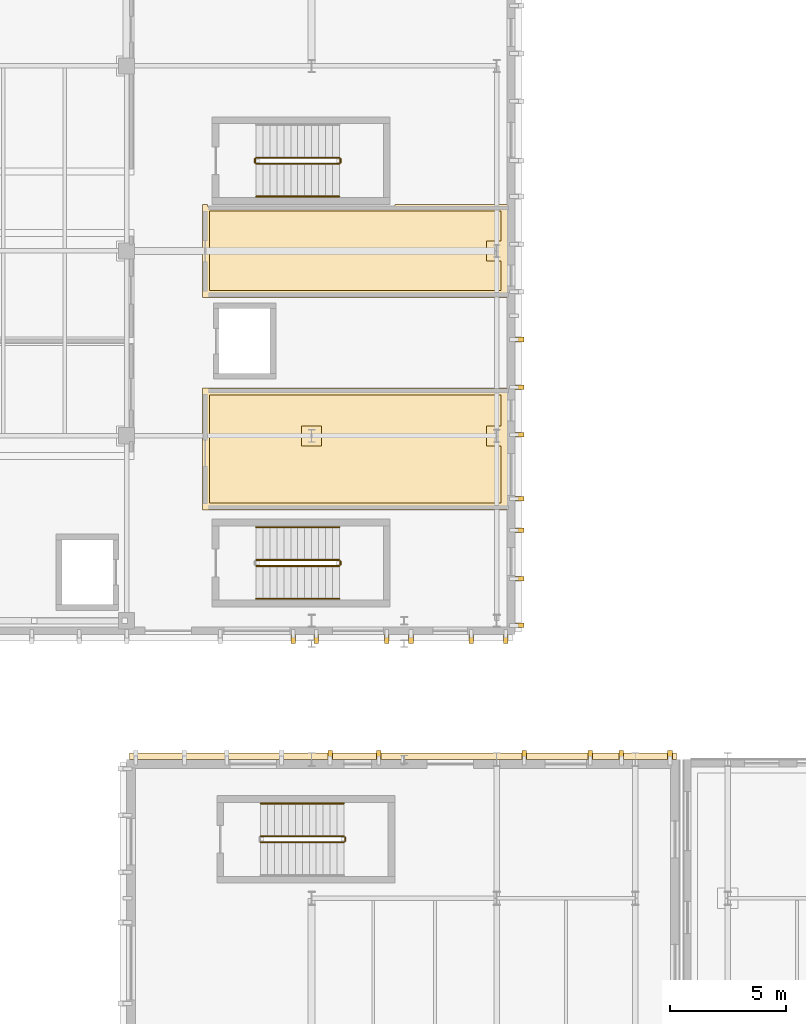
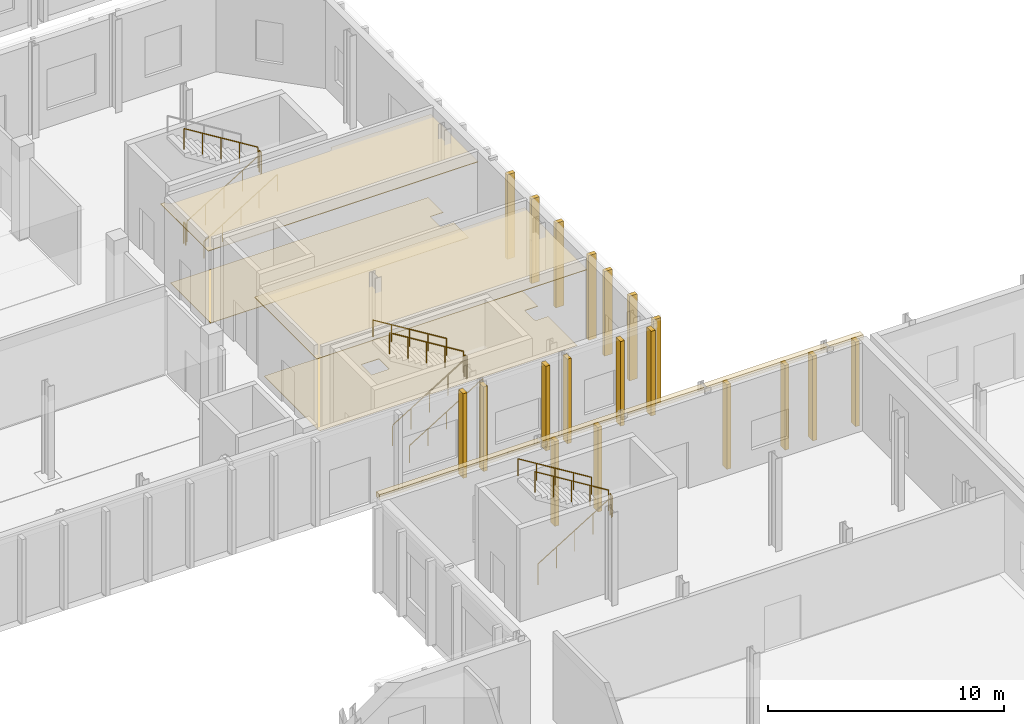
# One storey, part 48 of 60: 24 coverings, 14 railings.
"""IFC4 building model written with IfcOpenShell, lengths in metres."""

from ifc_helpers import new_model, si_unit, direction, frame, origin, origin_2d, place, context, subcontext, project, spatial, polyline, rectangle, circle, outline, extrude, material, layer, layer_set, type_object, element, save


model = new_model("IFC4")

# Units and contexts
model_context = context("Model", 3, precision=1e-05, world=origin(), true_north=direction((0.0, 1.0)))
body_context = subcontext(model_context, "Body", "Model", "MODEL_VIEW")
ifc_project = project(units=[si_unit("LENGTHUNIT", "METRE"), si_unit("AREAUNIT", "SQUARE_METRE"), si_unit("VOLUMEUNIT", "CUBIC_METRE"), si_unit("PLANEANGLEUNIT", "RADIAN"), si_unit("MASSUNIT", "GRAM", prefix="KILO")], contexts=[model_context])

# Site, building, storey
site_placement = place(None, origin())
site = spatial("IfcSite", under=ifc_project, at=site_placement, CompositionType="ELEMENT")
building_placement = place(site_placement, origin())
building = spatial("IfcBuilding", under=site, at=building_placement, Name="Cymarion Research Institute", CompositionType="ELEMENT")
storey_placement = place(building_placement, origin())
storey = spatial("IfcBuildingStorey", under=building, at=storey_placement, Name="L00", CompositionType="ELEMENT", Elevation=0.0)

# Coverings
ifc_material_1 = material(Name="Micro-perforated mineral acoustic ceiling tile", Category="gypsum")
ifc_layer_1 = layer(ifc_material_1, 0.030029296875)
ifc_layer_set_1 = layer_set([ifc_layer_1], Name="Micro-perforated mineral acoustic ceiling tile")
covering_type_1 = type_object("IfcCoveringType", Name="ACOUSTIC MICRO-PERFORATED SUSPENDED CEILING CLG-01", PredefinedType="CEILING", material=ifc_layer_set_1)
covering_1_placement = place(storey_placement, frame((0.0, 0.0, 4.0)))
element("IfcCovering", 1, at=covering_1_placement, inside=storey, type_object=covering_type_1, Name="L00 L00 Gas Cabinet & Thin-Film Deposition Laboratory acoustic ceiling", PredefinedType="CEILING", context=body_context, shape_type="SweptSolid", body=[
    extrude(outline(polyline([(47.094970703125, 57.56494140625), (47.094970703125, 52.284912109375), (33.885009765625, 52.284912109375), (33.885009765625, 57.56494140625), (47.094970703125, 57.56494140625)])), origin(), (0.0, 0.0, 1.0), 0.030029296875),
])
covering_2_placement = place(storey_placement, frame((0.0, 0.0, 4.0)))
element("IfcCovering", 2, at=covering_2_placement, inside=storey, type_object=covering_type_1, Name="L00 L00 Accessible WC and Cleanroom Staff Washrooms acoustic ceiling", PredefinedType="CEILING", context=body_context, shape_type="SweptSolid", body=[
    extrude(outline(polyline([(34.10009765625, 65.514892578125), (34.10009765625, 65.5), (34.10107421875, 65.48046875), (34.103759765625, 65.4609375), (34.108642578125, 65.44189453125), (34.115234375, 65.423583984375), (34.12353515625, 65.40576171875), (34.1337890625, 65.388916015625), (34.1455078125, 65.373046875), (34.15869140625, 65.358642578125), (34.173095703125, 65.345458984375), (34.18896484375, 65.333740234375), (34.205810546875, 65.323486328125), (34.223388671875, 65.315185546875), (34.241943359375, 65.30859375), (34.260986328125, 65.3037109375), (34.280517578125, 65.301025390625), (34.300048828125, 65.300048828125), (42.0, 65.300048828125), (42.01953125, 65.301025390625), (42.0390625, 65.3037109375), (42.05810546875, 65.30859375), (42.076416015625, 65.315185546875), (42.09423828125, 65.323486328125), (42.111083984375, 65.333740234375), (42.126953125, 65.345458984375), (42.141357421875, 65.358642578125), (42.154541015625, 65.373046875), (42.166259765625, 65.388916015625), (42.176513671875, 65.40576171875), (42.184814453125, 65.423583984375), (42.19140625, 65.44189453125), (42.1962890625, 65.4609375), (42.198974609375, 65.48046875), (42.199951171875, 65.5), (42.199951171875, 65.514892578125), (47.094970703125, 65.514892578125), (47.094970703125, 61.485107421875), (33.885009765625, 61.485107421875), (33.885009765625, 65.514892578125), (34.10009765625, 65.514892578125)])), origin(), (0.0, 0.0, 1.0), 0.030029296875),
])

# Railings
ifc_material_2 = material(Name="Steel S355", Category="steel")
railing_type_1 = type_object("IfcRailingType", Name="PAINTED STEEL STAIR GUARDRAIL GR1 1100MM", PredefinedType="GUARDRAIL", material=ifc_material_2)
railing_1_placement = place(storey_placement, frame((36.39990234375, 37.919921875, 0.1845703125)))
element("IfcRailing", 3, at=railing_1_placement, inside=storey, type_object=railing_type_1, Name="L00 ST6 stair guard 1", PredefinedType="GUARDRAIL", context=body_context, shape_type="SweptSolid", body=[
    extrude(circle(Radius=0.02392578125, at=origin_2d()), frame((0.0, 0.0, 1.076171875), z_axis=(0.85167021472, 0.0, 0.524078090897), x_axis=(0.0, 1.0, 0.0)), (0.0, 0.0, 1.0), 4.22705078125),
    extrude(circle(Radius=0.02099609375, at=origin_2d()), origin(), (0.0, 0.0, 1.0), 1.052001953125),
    extrude(circle(Radius=0.02099609375, at=origin_2d()), frame((0.89990234375, 0.0, 0.5537109375)), (0.0, 0.0, 1.0), 1.052001953125),
    extrude(circle(Radius=0.02099609375, at=origin_2d()), frame((1.800048828125, 0.0, 1.107666015625)), (0.0, 0.0, 1.0), 1.052001953125),
    extrude(circle(Radius=0.02099609375, at=origin_2d()), frame((2.7001953125, 0.0, 1.66162109375)), (0.0, 0.0, 1.0), 1.052001953125),
    extrude(circle(Radius=0.02099609375, at=origin_2d()), frame((3.60009765625, 0.0, 2.21533203125)), (0.0, 0.0, 1.0), 1.052001953125),
])
railing_2_placement = place(storey_placement, frame((40.050048828125, 37.969970703125, 2.39990234375)))
element("IfcRailing", 4, at=railing_2_placement, inside=storey, type_object=railing_type_1, Name="L00 ST6 stair guard 2", PredefinedType="GUARDRAIL", context=body_context, shape_type="SweptSolid", body=[
    extrude(circle(Radius=0.02392578125, at=origin_2d()), frame((0.0, 0.0, 1.076171875), z_axis=(0.0, 1.0, 0.0), x_axis=(-1.0, 0.0, 0.0)), (0.0, 0.0, 1.0), 0.159912109375),
    extrude(circle(Radius=0.02099609375, at=origin_2d()), origin(), (0.0, 0.0, 1.0), 1.052001953125),
    extrude(circle(Radius=0.02099609375, at=origin_2d()), frame((0.0, 0.159912109375, 0.0)), (0.0, 0.0, 1.0), 1.052001953125),
])
railing_3_placement = place(storey_placement, frame((40.0, 38.179931640625, 2.584716796875)))
element("IfcRailing", 5, at=railing_3_placement, inside=storey, type_object=railing_type_1, Name="L00 ST6 stair guard 3", PredefinedType="GUARDRAIL", context=body_context, shape_type="SweptSolid", body=[
    extrude(circle(Radius=0.02392578125, at=origin_2d()), frame((0.0, 0.0, 1.076171875), z_axis=(-0.85167021472, 0.0, 0.524078090897), x_axis=(0.0, -1.0, 0.0)), (0.0, 0.0, 1.0), 4.22705078125),
    extrude(circle(Radius=0.02099609375, at=origin_2d()), origin(), (0.0, 0.0, 1.0), 1.052001953125),
    extrude(circle(Radius=0.02099609375, at=origin_2d()), frame((-0.89990234375, 0.0, 0.5537109375)), (0.0, 0.0, 1.0), 1.052001953125),
    extrude(circle(Radius=0.02099609375, at=origin_2d()), frame((-1.800048828125, 0.0, 1.107666015625)), (0.0, 0.0, 1.0), 1.052001953125),
    extrude(circle(Radius=0.02099609375, at=origin_2d()), frame((-2.7001953125, 0.0, 1.66162109375)), (0.0, 0.0, 1.0), 1.052001953125),
    extrude(circle(Radius=0.02099609375, at=origin_2d()), frame((-3.60009765625, 0.0, 2.21533203125)), (0.0, 0.0, 1.0), 1.052001953125),
])
railing_4_placement = place(storey_placement, frame((36.199951171875, 49.8701171875, 0.1845703125)))
element("IfcRailing", 6, at=railing_4_placement, inside=storey, type_object=railing_type_1, Name="L00 ST7 stair guard 1", PredefinedType="GUARDRAIL", context=body_context, shape_type="SweptSolid", body=[
    extrude(circle(Radius=0.02392578125, at=origin_2d()), frame((0.0, 0.0, 1.076171875), z_axis=(0.85167021472, 0.0, 0.524078090897), x_axis=(0.0, 1.0, 0.0)), (0.0, 0.0, 1.0), 4.22705078125),
    extrude(circle(Radius=0.02099609375, at=origin_2d()), origin(), (0.0, 0.0, 1.0), 1.052001953125),
    extrude(circle(Radius=0.02099609375, at=origin_2d()), frame((0.89990234375, 0.0, 0.5537109375)), (0.0, 0.0, 1.0), 1.052001953125),
    extrude(circle(Radius=0.02099609375, at=origin_2d()), frame((1.800048828125, 0.0, 1.107666015625)), (0.0, 0.0, 1.0), 1.052001953125),
    extrude(circle(Radius=0.02099609375, at=origin_2d()), frame((2.7001953125, 0.0, 1.66162109375)), (0.0, 0.0, 1.0), 1.052001953125),
    extrude(circle(Radius=0.02099609375, at=origin_2d()), frame((3.60009765625, 0.0, 2.21533203125)), (0.0, 0.0, 1.0), 1.052001953125),
])
railing_5_placement = place(storey_placement, frame((39.85009765625, 49.919921875, 2.39990234375)))
element("IfcRailing", 7, at=railing_5_placement, inside=storey, type_object=railing_type_1, Name="L00 ST7 stair guard 2", PredefinedType="GUARDRAIL", context=body_context, shape_type="SweptSolid", body=[
    extrude(circle(Radius=0.02392578125, at=origin_2d()), frame((0.0, 0.0, 1.076171875), z_axis=(0.0, 1.0, 0.0), x_axis=(-1.0, 0.0, 0.0)), (0.0, 0.0, 1.0), 0.16015625),
    extrude(circle(Radius=0.02099609375, at=origin_2d()), origin(), (0.0, 0.0, 1.0), 1.052001953125),
    extrude(circle(Radius=0.02099609375, at=origin_2d()), frame((0.0, 0.16015625, 0.0)), (0.0, 0.0, 1.0), 1.052001953125),
])
railing_6_placement = place(storey_placement, frame((39.800048828125, 50.1298828125, 2.584716796875)))
element("IfcRailing", 8, at=railing_6_placement, inside=storey, type_object=railing_type_1, Name="L00 ST7 stair guard 3", PredefinedType="GUARDRAIL", context=body_context, shape_type="SweptSolid", body=[
    extrude(circle(Radius=0.02392578125, at=origin_2d()), frame((0.0, 0.0, 1.076171875), z_axis=(-0.85167021472, 0.0, 0.524078090897), x_axis=(0.0, -1.0, 0.0)), (0.0, 0.0, 1.0), 4.22705078125),
    extrude(circle(Radius=0.02099609375, at=origin_2d()), origin(), (0.0, 0.0, 1.0), 1.052001953125),
    extrude(circle(Radius=0.02099609375, at=origin_2d()), frame((-0.89990234375, 0.0, 0.5537109375)), (0.0, 0.0, 1.0), 1.052001953125),
    extrude(circle(Radius=0.02099609375, at=origin_2d()), frame((-1.800048828125, 0.0, 1.107666015625)), (0.0, 0.0, 1.0), 1.052001953125),
    extrude(circle(Radius=0.02099609375, at=origin_2d()), frame((-2.7001953125, 0.0, 1.66162109375)), (0.0, 0.0, 1.0), 1.052001953125),
    extrude(circle(Radius=0.02099609375, at=origin_2d()), frame((-3.60009765625, 0.0, 2.21533203125)), (0.0, 0.0, 1.0), 1.052001953125),
])
railing_7_placement = place(storey_placement, frame((36.199951171875, 67.27001953125, 0.1845703125)))
element("IfcRailing", 9, at=railing_7_placement, inside=storey, type_object=railing_type_1, Name="L00 ST8 stair guard 1", PredefinedType="GUARDRAIL", context=body_context, shape_type="SweptSolid", body=[
    extrude(circle(Radius=0.02392578125, at=origin_2d()), frame((0.0, 0.0, 1.076171875), z_axis=(0.85167021472, 0.0, 0.524078090897), x_axis=(0.0, 1.0, 0.0)), (0.0, 0.0, 1.0), 4.22705078125),
    extrude(circle(Radius=0.02099609375, at=origin_2d()), origin(), (0.0, 0.0, 1.0), 1.052001953125),
    extrude(circle(Radius=0.02099609375, at=origin_2d()), frame((0.89990234375, 0.0, 0.5537109375)), (0.0, 0.0, 1.0), 1.052001953125),
    extrude(circle(Radius=0.02099609375, at=origin_2d()), frame((1.800048828125, 0.0, 1.107666015625)), (0.0, 0.0, 1.0), 1.052001953125),
    extrude(circle(Radius=0.02099609375, at=origin_2d()), frame((2.7001953125, 0.0, 1.66162109375)), (0.0, 0.0, 1.0), 1.052001953125),
    extrude(circle(Radius=0.02099609375, at=origin_2d()), frame((3.60009765625, 0.0, 2.21533203125)), (0.0, 0.0, 1.0), 1.052001953125),
])
railing_8_placement = place(storey_placement, frame((39.85009765625, 67.320068359375, 2.39990234375)))
element("IfcRailing", 10, at=railing_8_placement, inside=storey, type_object=railing_type_1, Name="L00 ST8 stair guard 2", PredefinedType="GUARDRAIL", context=body_context, shape_type="SweptSolid", body=[
    extrude(circle(Radius=0.02392578125, at=origin_2d()), frame((0.0, 0.0, 1.076171875), z_axis=(0.0, 1.0, 0.0), x_axis=(-1.0, 0.0, 0.0)), (0.0, 0.0, 1.0), 0.159912109375),
    extrude(circle(Radius=0.02099609375, at=origin_2d()), origin(), (0.0, 0.0, 1.0), 1.052001953125),
    extrude(circle(Radius=0.02099609375, at=origin_2d()), frame((0.0, 0.159912109375, 0.0)), (0.0, 0.0, 1.0), 1.052001953125),
])
railing_9_placement = place(storey_placement, frame((39.800048828125, 67.530029296875, 2.584716796875)))
element("IfcRailing", 11, at=railing_9_placement, inside=storey, type_object=railing_type_1, Name="L00 ST8 stair guard 3", PredefinedType="GUARDRAIL", context=body_context, shape_type="SweptSolid", body=[
    extrude(circle(Radius=0.02392578125, at=origin_2d()), frame((0.0, 0.0, 1.076171875), z_axis=(-0.85167021472, 0.0, 0.524078090897), x_axis=(0.0, -1.0, 0.0)), (0.0, 0.0, 1.0), 4.22705078125),
    extrude(circle(Radius=0.02099609375, at=origin_2d()), origin(), (0.0, 0.0, 1.0), 1.052001953125),
    extrude(circle(Radius=0.02099609375, at=origin_2d()), frame((-0.89990234375, 0.0, 0.5537109375)), (0.0, 0.0, 1.0), 1.052001953125),
    extrude(circle(Radius=0.02099609375, at=origin_2d()), frame((-1.800048828125, 0.0, 1.107666015625)), (0.0, 0.0, 1.0), 1.052001953125),
    extrude(circle(Radius=0.02099609375, at=origin_2d()), frame((-2.7001953125, 0.0, 1.66162109375)), (0.0, 0.0, 1.0), 1.052001953125),
    extrude(circle(Radius=0.02099609375, at=origin_2d()), frame((-3.60009765625, 0.0, 2.21533203125)), (0.0, 0.0, 1.0), 1.052001953125),
])
railing_10_placement = place(storey_placement, frame((36.14990234375, 67.320068359375, 0.0)))
element("IfcRailing", 12, at=railing_10_placement, inside=storey, type_object=railing_type_1, Name="L00 ST8 stair guard 4", PredefinedType="GUARDRAIL", context=body_context, shape_type="SweptSolid", body=[
    extrude(circle(Radius=0.02392578125, at=origin_2d()), frame((0.0, 0.0, 1.076171875), z_axis=(0.0, 1.0, 0.0), x_axis=(-1.0, 0.0, 0.0)), (0.0, 0.0, 1.0), 0.159912109375),
    extrude(circle(Radius=0.02099609375, at=origin_2d()), origin(), (0.0, 0.0, 1.0), 1.052001953125),
    extrude(circle(Radius=0.02099609375, at=origin_2d()), frame((0.0, 0.159912109375, 0.0)), (0.0, 0.0, 1.0), 1.052001953125),
])

# Coverings
ifc_material_3 = material(Name="Precast concrete C45/55 architectural white", Category="concrete")
ifc_layer_2 = layer(ifc_material_3, 0.260009765625)
ifc_layer_set_2 = layer_set([ifc_layer_2], Name="Precast concrete C45/55 architectural white")
covering_type_2 = type_object("IfcCoveringType", Name="SCULPTURAL WHITE PRECAST CONCRETE SPANDREL BROW BAND RIB2 280MM", PredefinedType="CLADDING", material=ifc_layer_set_2)
covering_3_placement = place(storey_placement, frame((42.550048828125, 41.64208984375, 4.39013671875), z_axis=(0.0, 0.0, 1.0), x_axis=(0.0, 1.0, 0.0)))
element("IfcCovering", 13, at=covering_3_placement, inside=storey, type_object=covering_type_2, Name="L00 V3 precast spandrel brow band RIB2 #27", PredefinedType="CLADDING", context=body_context, shape_type="SweptSolid", body=[
    extrude(rectangle(XDim=0.280029296875, YDim=23.659912109375, at=origin_2d()), origin(), (0.0, 0.0, 1.0), 0.260009765625),
])
ifc_layer_3 = layer(ifc_material_3, 0.199951171875)
ifc_layer_set_3 = layer_set([ifc_layer_3], Name="Precast concrete C45/55 architectural white")
covering_type_3 = type_object("IfcCoveringType", Name="SCULPTURAL WHITE PRECAST CONCRETE VERTICAL RIB RIB1 380X200", PredefinedType="CLADDING", material=ifc_layer_set_3)
for number, where, z_axis, x_axis, name in (
    (14, (54.10009765625, 41.69189453125, 0.010009765625), (0.0, 0.0, 1.0), (0.0, 1.0, 0.0), "L00 V3 sculptural precast vertical rib RIB1 #28"),
    (15, (52.0, 41.69189453125, 0.010009765625), (0.0, 0.0, 1.0), (0.0, 1.0, 0.0), "L00 V3 sculptural precast vertical rib RIB1 #29"),
    (16, (50.64990234375, 41.69189453125, 0.010009765625), (0.0, 0.0, 1.0), (0.0, 1.0, 0.0), "L00 V3 sculptural precast vertical rib RIB1 #30"),
    (17, (47.800048828125, 41.69189453125, 0.010009765625), (0.0, 0.0, 1.0), (0.0, 1.0, 0.0), "L00 V3 sculptural precast vertical rib RIB1 #31"),
    (18, (41.5, 41.69189453125, 0.010009765625), (0.0, 0.0, 1.0), (0.0, 1.0, 0.0), "L00 V3 sculptural precast vertical rib RIB1 #32"),
    (19, (39.39990234375, 41.69189453125, 0.010009765625), (0.0, 0.0, 1.0), (0.0, 1.0, 0.0), "L00 V3 sculptural precast vertical rib RIB1 #33"),
    (20, (37.804931640625, 46.7080078125, 0.010009765625), (0.0, 0.0, 1.0), (0.0, -1.0, 0.0), "L00 V4 sculptural precast vertical rib RIB1 #86"),
    (21, (38.800048828125, 46.7080078125, 0.010009765625), (0.0, 0.0, 1.0), (0.0, -1.0, 0.0), "L00 V4 sculptural precast vertical rib RIB1 #87"),
    (22, (41.85009765625, 46.7080078125, 0.010009765625), (0.0, 0.0, 1.0), (0.0, -1.0, 0.0), "L00 V4 sculptural precast vertical rib RIB1 #88"),
    (23, (42.89990234375, 46.7080078125, 0.010009765625), (0.0, 0.0, 1.0), (0.0, -1.0, 0.0), "L00 V4 sculptural precast vertical rib RIB1 #89"),
    (24, (45.5, 46.7080078125, 0.010009765625), (0.0, 0.0, 1.0), (0.0, -1.0, 0.0), "L00 V4 sculptural precast vertical rib RIB1 #90"),
    (25, (47.0, 46.7080078125, 0.010009765625), (0.0, 0.0, 1.0), (0.0, -1.0, 0.0), "L00 V4 sculptural precast vertical rib RIB1 #91"),
    (26, (47.592041015625, 47.300048828125, 0.010009765625), (0.0, 0.0, 1.0), (1.0, 0.0, 0.0), "L00 V4 sculptural precast vertical rib RIB1 #93"),
    (27, (47.592041015625, 49.320068359375, 0.010009765625), (0.0, 0.0, 1.0), (1.0, 0.0, 0.0), "L00 V4 sculptural precast vertical rib RIB1 #94"),
    (28, (47.592041015625, 51.423095703125, 0.010009765625), (0.0, 0.0, 1.0), (1.0, 0.0, 0.0), "L00 V4 sculptural precast vertical rib RIB1 #95"),
    (29, (47.592041015625, 52.780029296875, 0.010009765625), (0.0, 0.0, 1.0), (1.0, 0.0, 0.0), "L00 V4 sculptural precast vertical rib RIB1 #96"),
    (30, (47.592041015625, 55.546142578125, 0.010009765625), (0.0, 0.0, 1.0), (1.0, 0.0, 0.0), "L00 V4 sculptural precast vertical rib RIB1 #97"),
    (31, (47.592041015625, 57.607666015625, 0.010009765625), (0.0, 0.0, 1.0), (1.0, 0.0, 0.0), "L00 V4 sculptural precast vertical rib RIB1 #98"),
    (32, (47.592041015625, 59.669189453125, 0.010009765625), (0.0, 0.0, 1.0), (1.0, 0.0, 0.0), "L00 V4 sculptural precast vertical rib RIB1 #99"),
):
    element("IfcCovering", number, at=place(storey_placement, frame(where, z_axis=z_axis, x_axis=x_axis)), inside=storey, type_object=covering_type_3, Name=name, PredefinedType="CLADDING", context=body_context, shape_type="SweptSolid", body=[
        extrude(rectangle(XDim=0.3798828125, YDim=0.199951171875, at=origin_2d()), origin(), (0.0, 0.0, 1.0), 4.375),
    ])
ifc_material_4 = material(Name="Seamless dissipative epoxy resin flooring", Category="resin")
ifc_layer_4 = layer(ifc_material_4, 0.02001953125)
ifc_layer_set_4 = layer_set([ifc_layer_4], Name="Seamless dissipative epoxy resin flooring")
covering_type_4 = type_object("IfcCoveringType", Name="SEAMLESS ESD EPOXY LABORATORY FLOORING FLR-01", PredefinedType="FLOORING", material=ifc_layer_set_4)
covering_4_placement = place(storey_placement, origin())
element("IfcCovering", 33, at=covering_4_placement, inside=storey, type_object=covering_type_4, Name="L00 L00 Gas Cabinet & Thin-Film Deposition Laboratory ESD epoxy flooring", PredefinedType="FLOORING", context=body_context, shape_type="SweptSolid", body=[
    extrude(outline(polyline([(34.18505859375, 57.264892578125), (46.794921875, 57.264892578125), (46.794921875, 55.93505859375), (46.1650390625, 55.93505859375), (46.1650390625, 55.06494140625), (46.794921875, 55.06494140625), (46.794921875, 52.5849609375), (34.18505859375, 52.5849609375), (34.18505859375, 57.264892578125)]), holes=[polyline([(39.034912109375, 55.93505859375), (38.1650390625, 55.93505859375), (38.1650390625, 55.06494140625), (39.034912109375, 55.06494140625), (39.034912109375, 55.93505859375)])]), origin(), (0.0, 0.0, 1.0), 0.02001953125),
])
covering_5_placement = place(storey_placement, origin())
element("IfcCovering", 34, at=covering_5_placement, inside=storey, type_object=covering_type_4, Name="L00 L00 Accessible WC and Cleanroom Staff Washrooms ESD epoxy flooring", PredefinedType="FLOORING", context=body_context, shape_type="SweptSolid", body=[
    extrude(outline(polyline([(34.18505859375, 65.215087890625), (46.794921875, 65.215087890625), (46.794921875, 63.93505859375), (46.1650390625, 63.93505859375), (46.1650390625, 63.06494140625), (46.794921875, 63.06494140625), (46.794921875, 61.784912109375), (34.18505859375, 61.784912109375), (34.18505859375, 65.215087890625)])), origin(), (0.0, 0.0, 1.0), 0.02001953125),
])

# Railings
railing_type_2 = type_object("IfcRailingType", Name="STAINLESS STEEL STAIR HANDRAIL HR1 900MM", PredefinedType="HANDRAIL", material=ifc_material_2)
railing_11_placement = place(storey_placement, frame((40.0, 39.60009765625, 2.584716796875)))
element("IfcRailing", 35, at=railing_11_placement, inside=storey, type_object=railing_type_2, Name="L00 ST6 stair handrail 2", PredefinedType="HANDRAIL", context=body_context, shape_type="SweptSolid", body=[
    extrude(circle(Radius=0.02392578125, at=origin_2d()), frame((0.0, 0.0, 0.8759765625), z_axis=(-0.85167021472, 0.0, 0.524078090897), x_axis=(0.0, -1.0, 0.0)), (0.0, 0.0, 1.0), 4.22705078125),
    extrude(circle(Radius=0.02099609375, at=origin_2d()), origin(), (0.0, 0.0, 1.0), 0.851806640625),
    extrude(circle(Radius=0.02099609375, at=origin_2d()), frame((-0.89990234375, 0.0, 0.5537109375)), (0.0, 0.0, 1.0), 0.851806640625),
    extrude(circle(Radius=0.02099609375, at=origin_2d()), frame((-1.800048828125, 0.0, 1.107666015625)), (0.0, 0.0, 1.0), 0.851806640625),
    extrude(circle(Radius=0.02099609375, at=origin_2d()), frame((-2.7001953125, 0.0, 1.66162109375)), (0.0, 0.0, 1.0), 0.851806640625),
    extrude(circle(Radius=0.02099609375, at=origin_2d()), frame((-3.60009765625, 0.0, 2.21533203125)), (0.0, 0.0, 1.0), 0.851806640625),
])
railing_12_placement = place(storey_placement, frame((36.199951171875, 48.449951171875, 0.1845703125)))
element("IfcRailing", 36, at=railing_12_placement, inside=storey, type_object=railing_type_2, Name="L00 ST7 stair handrail 1", PredefinedType="HANDRAIL", context=body_context, shape_type="SweptSolid", body=[
    extrude(circle(Radius=0.02392578125, at=origin_2d()), frame((0.0, 0.0, 0.8759765625), z_axis=(0.85167021472, 0.0, 0.524078090897), x_axis=(0.0, 1.0, 0.0)), (0.0, 0.0, 1.0), 4.22705078125),
    extrude(circle(Radius=0.02099609375, at=origin_2d()), origin(), (0.0, 0.0, 1.0), 0.851806640625),
    extrude(circle(Radius=0.02099609375, at=origin_2d()), frame((0.89990234375, 0.0, 0.5537109375)), (0.0, 0.0, 1.0), 0.851806640625),
    extrude(circle(Radius=0.02099609375, at=origin_2d()), frame((1.800048828125, 0.0, 1.107666015625)), (0.0, 0.0, 1.0), 0.851806640625),
    extrude(circle(Radius=0.02099609375, at=origin_2d()), frame((2.7001953125, 0.0, 1.66162109375)), (0.0, 0.0, 1.0), 0.851806640625),
    extrude(circle(Radius=0.02099609375, at=origin_2d()), frame((3.60009765625, 0.0, 2.21533203125)), (0.0, 0.0, 1.0), 0.851806640625),
])
railing_13_placement = place(storey_placement, frame((39.800048828125, 51.550048828125, 2.584716796875)))
element("IfcRailing", 37, at=railing_13_placement, inside=storey, type_object=railing_type_2, Name="L00 ST7 stair handrail 2", PredefinedType="HANDRAIL", context=body_context, shape_type="SweptSolid", body=[
    extrude(circle(Radius=0.02392578125, at=origin_2d()), frame((0.0, 0.0, 0.8759765625), z_axis=(-0.85167021472, 0.0, 0.524078090897), x_axis=(0.0, -1.0, 0.0)), (0.0, 0.0, 1.0), 4.22705078125),
    extrude(circle(Radius=0.02099609375, at=origin_2d()), origin(), (0.0, 0.0, 1.0), 0.851806640625),
    extrude(circle(Radius=0.02099609375, at=origin_2d()), frame((-0.89990234375, 0.0, 0.5537109375)), (0.0, 0.0, 1.0), 0.851806640625),
    extrude(circle(Radius=0.02099609375, at=origin_2d()), frame((-1.800048828125, 0.0, 1.107666015625)), (0.0, 0.0, 1.0), 0.851806640625),
    extrude(circle(Radius=0.02099609375, at=origin_2d()), frame((-2.7001953125, 0.0, 1.66162109375)), (0.0, 0.0, 1.0), 0.851806640625),
    extrude(circle(Radius=0.02099609375, at=origin_2d()), frame((-3.60009765625, 0.0, 2.21533203125)), (0.0, 0.0, 1.0), 0.851806640625),
])
railing_14_placement = place(storey_placement, frame((36.199951171875, 65.85009765625, 0.1845703125)))
element("IfcRailing", 38, at=railing_14_placement, inside=storey, type_object=railing_type_2, Name="L00 ST8 stair handrail 1", PredefinedType="HANDRAIL", context=body_context, shape_type="SweptSolid", body=[
    extrude(circle(Radius=0.02392578125, at=origin_2d()), frame((0.0, 0.0, 0.8759765625), z_axis=(0.85167021472, 0.0, 0.524078090897), x_axis=(0.0, 1.0, 0.0)), (0.0, 0.0, 1.0), 4.22705078125),
    extrude(circle(Radius=0.02099609375, at=origin_2d()), origin(), (0.0, 0.0, 1.0), 0.851806640625),
    extrude(circle(Radius=0.02099609375, at=origin_2d()), frame((0.89990234375, 0.0, 0.5537109375)), (0.0, 0.0, 1.0), 0.851806640625),
    extrude(circle(Radius=0.02099609375, at=origin_2d()), frame((1.800048828125, 0.0, 1.107666015625)), (0.0, 0.0, 1.0), 0.851806640625),
    extrude(circle(Radius=0.02099609375, at=origin_2d()), frame((2.7001953125, 0.0, 1.66162109375)), (0.0, 0.0, 1.0), 0.851806640625),
    extrude(circle(Radius=0.02099609375, at=origin_2d()), frame((3.60009765625, 0.0, 2.21533203125)), (0.0, 0.0, 1.0), 0.851806640625),
])

save(model, "model.ifc")
